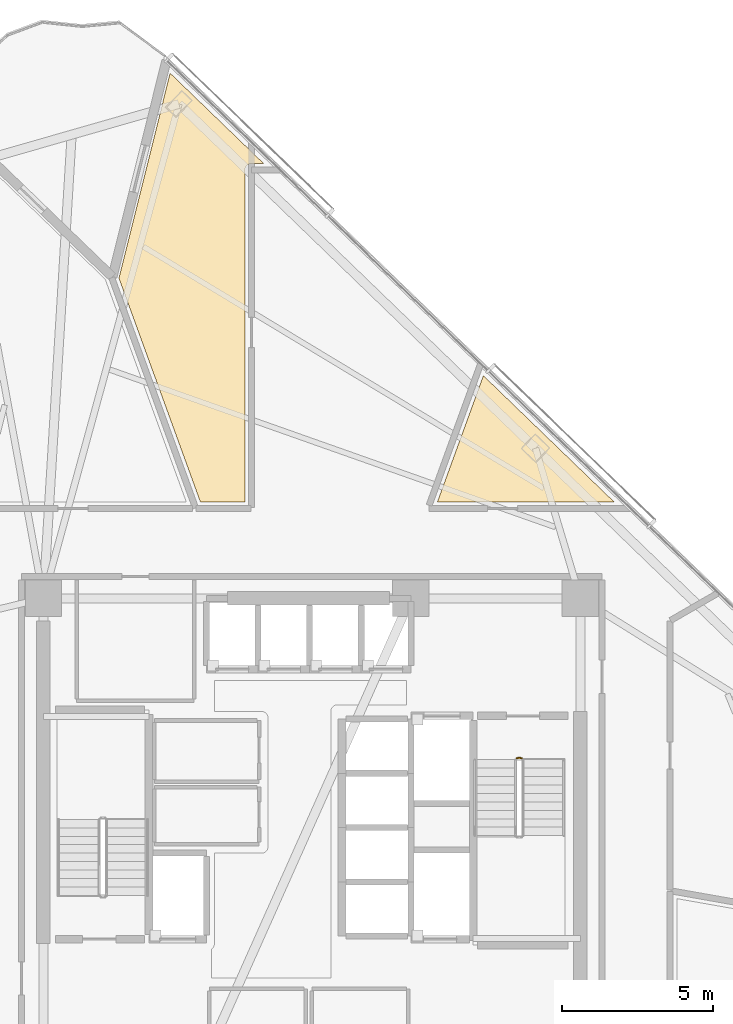
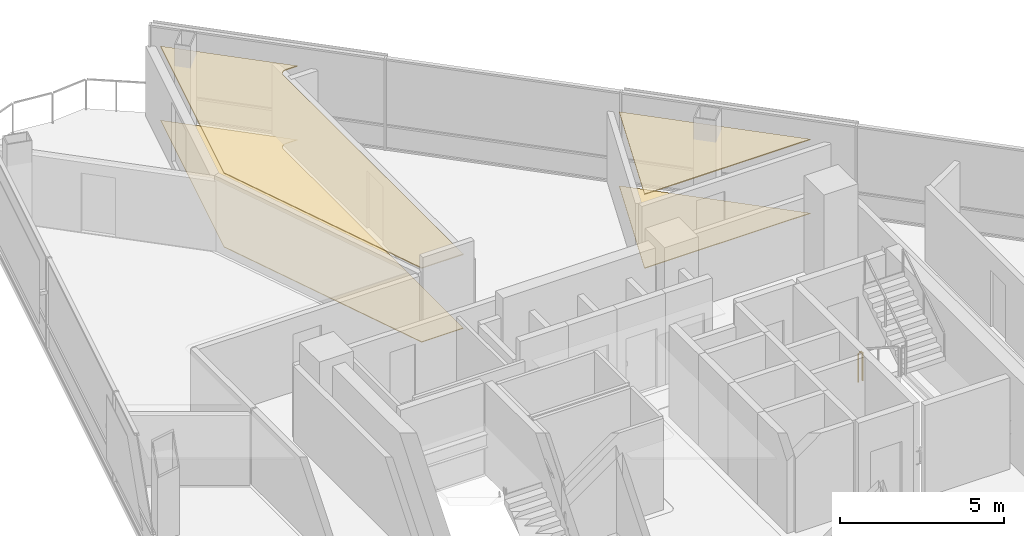
# One storey, part 18 of 19: 4 coverings, 1 railing.
"""IFC4 building model written with IfcOpenShell, lengths in metres."""

from ifc_helpers import new_model, si_unit, direction, frame, origin, origin_2d, place, context, subcontext, project, spatial, polyline, rectangle, outline, extrude, material, layer, layer_set, type_object, element, save


model = new_model("IFC4")

# Units and contexts
model_context = context("Model", 3, precision=1e-05, world=origin(), true_north=direction((0.0, 1.0)))
body_context = subcontext(model_context, "Body", "Model", "MODEL_VIEW")
ifc_project = project(units=[si_unit("LENGTHUNIT", "METRE"), si_unit("AREAUNIT", "SQUARE_METRE"), si_unit("VOLUMEUNIT", "CUBIC_METRE"), si_unit("PLANEANGLEUNIT", "RADIAN"), si_unit("MASSUNIT", "GRAM", prefix="KILO")], contexts=[model_context])

# Site, building, storey
site_placement = place(None, origin())
site = spatial("IfcSite", under=ifc_project, at=site_placement, CompositionType="ELEMENT")
building_placement = place(site_placement, origin())
building = spatial("IfcBuilding", under=site, at=building_placement, Name="Tharavind Bronze Gate", CompositionType="ELEMENT")
storey_placement = place(building_placement, frame((0.0, 0.0, 89.699951171875)))
storey = spatial("IfcBuildingStorey", under=building, at=storey_placement, Name="L22", CompositionType="ELEMENT", Elevation=89.699951171875)

# Coverings
ifc_material_1 = material(Name="Engineered Oak & Carpet Tile", Category="wood")
ifc_layer_1 = layer(ifc_material_1, 0.02490234375)
ifc_layer_set_1 = layer_set([ifc_layer_1], Name="Engineered Oak & Carpet Tile")
covering_type_1 = type_object("IfcCoveringType", Name="ENGINEERED TIMBER FLOORING", PredefinedType="FLOORING", material=ifc_layer_set_1)
covering_1_placement = place(storey_placement, origin())
element("IfcCovering", 1, at=covering_1_placement, inside=storey, type_object=covering_type_1, Name="L22-RM-01 floor finish", PredefinedType="FLOORING", context=body_context, shape_type="SweptSolid", body=[
    extrude(outline(polyline([(10.016845703125, 10.800048828125), (5.68701171875, 14.981201171875), (4.1650390625, 10.800048828125), (10.016845703125, 10.800048828125)])), origin(), (0.0, 0.0, 1.0), 0.025146484375),
])
covering_2_placement = place(storey_placement, origin())
element("IfcCovering", 2, at=covering_2_placement, inside=storey, type_object=covering_type_1, Name="L22-RM-02 floor finish", PredefinedType="FLOORING", context=body_context, shape_type="SweptSolid", body=[
    extrude(outline(polyline([(-3.69677734375, 10.800048828125), (-2.219970703125, 10.800048828125), (-2.219970703125, 21.79931640625), (-2.2197265625, 21.810302734375), (-2.2197265625, 21.810791015625), (-2.217529296875, 21.832275390625), (-2.21337890625, 21.853515625), (-2.20703125, 21.8740234375), (-2.19873046875, 21.89404296875), (-2.188720703125, 21.9130859375), (-2.1767578125, 21.930908203125), (-2.1630859375, 21.94775390625), (-2.147705078125, 21.962890625), (-2.131103515625, 21.976806640625), (-2.113037109375, 21.98876953125), (-2.093994140625, 21.998779296875), (-2.07421875, 22.007080078125), (-2.053466796875, 22.013427734375), (-2.0322265625, 22.017578125), (-2.0107421875, 22.019775390625), (-2.01025390625, 22.019775390625), (-1.99951171875, 22.02001953125), (-1.601806640625, 22.02001953125), (-4.69921875, 25.010986328125), (-6.394287109375, 18.211669921875), (-3.69677734375, 10.800048828125)])), origin(), (0.0, 0.0, 1.0), 0.025146484375),
])
ifc_material_2 = material(Name="Acoustic Gypsum Board", Category="gypsum")
ifc_layer_2 = layer(ifc_material_2, 0.030029296875)
ifc_layer_set_2 = layer_set([ifc_layer_2], Name="Acoustic Gypsum Board")
covering_type_2 = type_object("IfcCoveringType", Name="GYPSUM SUSPENDED CEILING", PredefinedType="CEILING", material=ifc_layer_set_2)
covering_3_placement = place(storey_placement, frame((0.0, 0.0, 2.75)))
element("IfcCovering", 3, at=covering_3_placement, inside=storey, type_object=covering_type_2, Name="L22-RM-01 suspended ceiling", PredefinedType="CEILING", context=body_context, shape_type="SweptSolid", body=[
    extrude(outline(polyline([(10.016845703125, 10.800048828125), (5.68701171875, 14.981201171875), (4.1650390625, 10.800048828125), (10.016845703125, 10.800048828125)])), origin(), (0.0, 0.0, 1.0), 0.03515625),
])
covering_4_placement = place(storey_placement, frame((0.0, 0.0, 2.75)))
element("IfcCovering", 4, at=covering_4_placement, inside=storey, type_object=covering_type_2, Name="L22-RM-02 suspended ceiling", PredefinedType="CEILING", context=body_context, shape_type="SweptSolid", body=[
    extrude(outline(polyline([(-3.69677734375, 10.800048828125), (-2.219970703125, 10.800048828125), (-2.219970703125, 21.79931640625), (-2.2197265625, 21.810302734375), (-2.2197265625, 21.810791015625), (-2.217529296875, 21.832275390625), (-2.21337890625, 21.853515625), (-2.20703125, 21.8740234375), (-2.19873046875, 21.89404296875), (-2.188720703125, 21.9130859375), (-2.1767578125, 21.930908203125), (-2.1630859375, 21.94775390625), (-2.147705078125, 21.962890625), (-2.131103515625, 21.976806640625), (-2.113037109375, 21.98876953125), (-2.093994140625, 21.998779296875), (-2.07421875, 22.007080078125), (-2.053466796875, 22.013427734375), (-2.0322265625, 22.017578125), (-2.0107421875, 22.019775390625), (-2.01025390625, 22.019775390625), (-1.99951171875, 22.02001953125), (-1.601806640625, 22.02001953125), (-4.69921875, 25.010986328125), (-6.394287109375, 18.211669921875), (-3.69677734375, 10.800048828125)])), origin(), (0.0, 0.0, 1.0), 0.03515625),
])

# Railing
ifc_material_3 = material(Name="Brushed Bronze Alloy", Category="metal")
railing_type = type_object("IfcRailingType", Name="STAIR WELL GUARD RAILING 1120", PredefinedType="GUARDRAIL", material=ifc_material_3)
railing_placement = place(storey_placement, frame((6.800048828125, 2.300048828125, 0.0)))
element("IfcRailing", 5, at=railing_placement, inside=storey, type_object=railing_type, Name="L22 ST2 stair guard 4", PredefinedType="GUARDRAIL", context=body_context, shape_type="SweptSolid", body=[
    extrude(rectangle(XDim=0.048095703125, YDim=0.048095703125, at=origin_2d()), frame((0.031982421875, 0.0, 1.09619140625), z_axis=(1.0, 0.0, 0.0), x_axis=(0.0, 1.0, 0.0)), (0.0, 0.0, 1.0), 0.0859375),
    extrude(rectangle(XDim=0.0400390625, YDim=0.0400390625, at=origin_2d()), origin(), (0.0, 0.0, 1.0), 1.068115234375),
    extrude(rectangle(XDim=0.0400390625, YDim=0.0400390625, at=origin_2d()), frame((0.14990234375, 0.0, 0.0)), (0.0, 0.0, 1.0), 1.068115234375),
])

save(model, "model.ifc")
